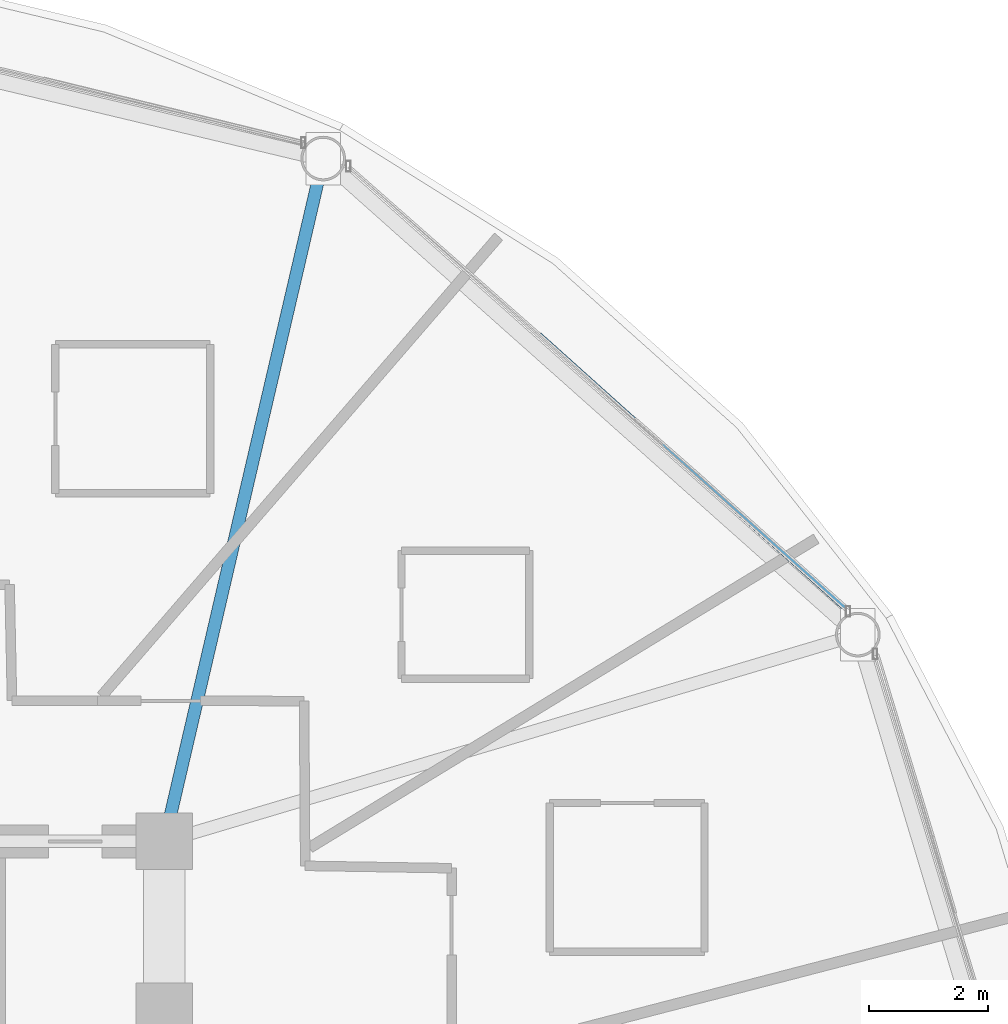
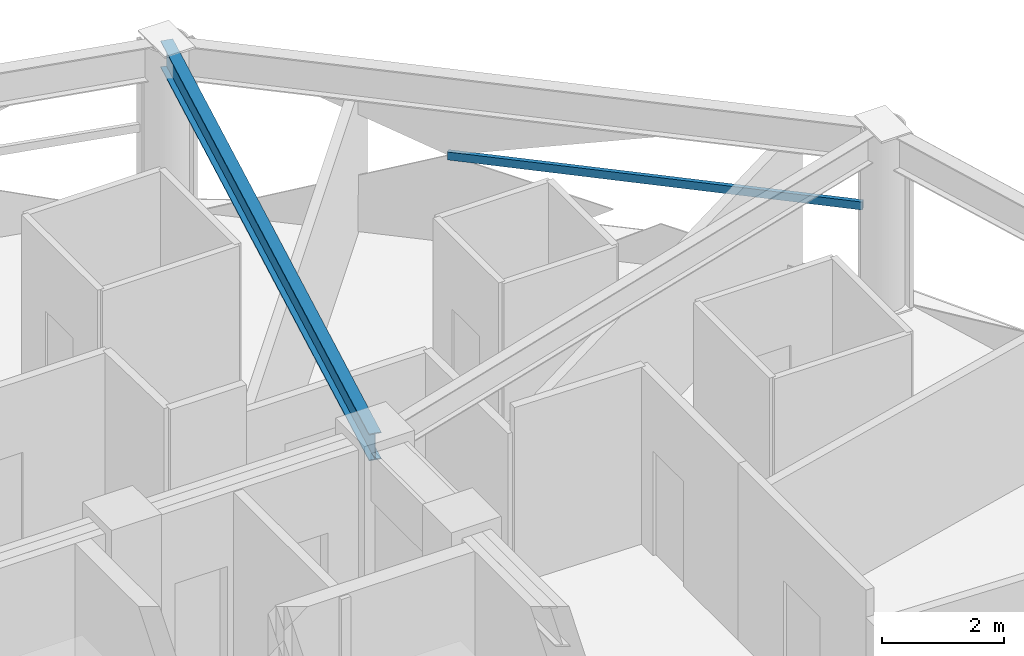
# One storey, part 18 of 29: 1 beam, 1 member, 1 element without a shape of its own.
"""IFC4 building model written with IfcOpenShell, lengths in metres."""

from ifc_helpers import new_model, si_unit, direction, frame, origin, origin_2d, place, context, subcontext, project, spatial, hollow_rectangle, i_section, extrude, material, layer, layer_set, material_profile, profile_set, type_object, element, aggregate, save


model = new_model("IFC4")

# Units and contexts
model_context = context("Model", 3, precision=1e-05, world=origin(), true_north=direction((0.0, 1.0)))
body_context = subcontext(model_context, "Body", "Model", "MODEL_VIEW")
ifc_project = project(units=[si_unit("LENGTHUNIT", "METRE"), si_unit("AREAUNIT", "SQUARE_METRE"), si_unit("VOLUMEUNIT", "CUBIC_METRE"), si_unit("PLANEANGLEUNIT", "RADIAN"), si_unit("MASSUNIT", "GRAM", prefix="KILO")], contexts=[model_context])

# Site, building, storey
site_placement = place(None, origin())
site = spatial("IfcSite", under=ifc_project, at=site_placement, CompositionType="ELEMENT")
building_placement = place(site_placement, origin())
building = spatial("IfcBuilding", under=site, at=building_placement, Name="Vantalir Tower", CompositionType="ELEMENT")
storey_placement = place(building_placement, frame((0.0, 0.0, 168.449951171875)))
storey = spatial("IfcBuildingStorey", under=building, at=storey_placement, Name="L42", CompositionType="ELEMENT", Elevation=168.449951171875)

# Beam
ifc_material_1 = material(Name="Steel S355", Category="steel")
ifc_material_profile_1 = material_profile(ifc_material_1, i_section(OverallWidth=0.2109375, OverallDepth=0.5390625, WebThickness=0.01171875, FlangeThickness=0.018798828125, at=origin_2d()), Name="Steel S355")
ifc_profile_set_1 = profile_set([ifc_material_profile_1], Name="Steel S355")
beam_type = type_object("IfcBeamType", Name="BM-RB-533x210", PredefinedType="BEAM", material=ifc_profile_set_1)
beam_placement = place(storey_placement, frame((43.76806640625, 43.9208984375, 3.301025390625), z_axis=(-0.226538191981, -0.974002283146, 0.0), x_axis=(0.974002283146, -0.226538191981, 0.0)))
element("IfcBeam", 1, at=beam_placement, inside=storey, type_object=beam_type, Name="L42 Radial Floor Beam 03", PredefinedType="BEAM", context=body_context, shape_type="SweptSolid", body=[
    extrude(i_section(OverallWidth=0.2109375, OverallDepth=0.5390625, WebThickness=0.01171875, FlangeThickness=0.018798828125, at=origin_2d()), origin(), (0.0, 0.0, 1.0), 11.777099609375),
])

# Curtain wall, member
ifc_material_2 = material(Name="Champagne-silver PVDF aluminium and double-silver Low-E glass", Category="aluminium")
ifc_layer = layer(ifc_material_2, 0.199951171875)
ifc_layer_set = layer_set([ifc_layer], Name="Champagne-silver PVDF aluminium and double-silver Low-E glass")
curtain_wall_type = type_object("IfcCurtainWallType", Name="CW-DIAMOND-Z2", PredefinedType="USERDEFINED", material=ifc_layer_set)
curtain_wall_placement = place(storey_placement, origin())
curtain_wall = element("IfcCurtainWall", 2, at=curtain_wall_placement, inside=storey, type_object=curtain_wall_type, Name="L42 Quilted Pyramid-Diamond Curtain Wall S02", ObjectType="UNITISED CURTAIN WALL", PredefinedType="USERDEFINED")
ifc_material_3 = material(Name="Champagne-silver PVDF aluminium 6063-T6", Category="aluminium")
ifc_material_profile_2 = material_profile(ifc_material_3, hollow_rectangle(XDim=0.074951171875, YDim=0.159912109375, WallThickness=0.00390625, at=origin_2d()), Name="Champagne-silver PVDF aluminium 6063-T6")
ifc_profile_set_2 = profile_set([ifc_material_profile_2], Name="Champagne-silver PVDF aluminium 6063-T6")
member_type = type_object("IfcMemberType", Name="CWT-160x75", PredefinedType="USERDEFINED", material=ifc_profile_set_2)
member_placement = place(storey_placement, frame((52.5849609375, 36.31201171875, 1.78515625), z_axis=(-0.744240944247, 0.667911234301, 0.0), x_axis=(-0.667911234301, -0.744240944247, 0.0)))
member = element("IfcMember", 3, at=member_placement, type_object=member_type, Name="CW-L42-S02 Pyramid Fold Ridge Transom", ObjectType="TRANSOM", PredefinedType="USERDEFINED", context=body_context, shape_type="SweptSolid", body=[
    extrude(hollow_rectangle(XDim=0.074951171875, YDim=0.159912109375, WallThickness=0.00390625, at=origin_2d()), origin(), (0.0, 0.0, 1.0), 6.969482421875),
])
aggregate(curtain_wall, [member])

save(model, "model.ifc")
